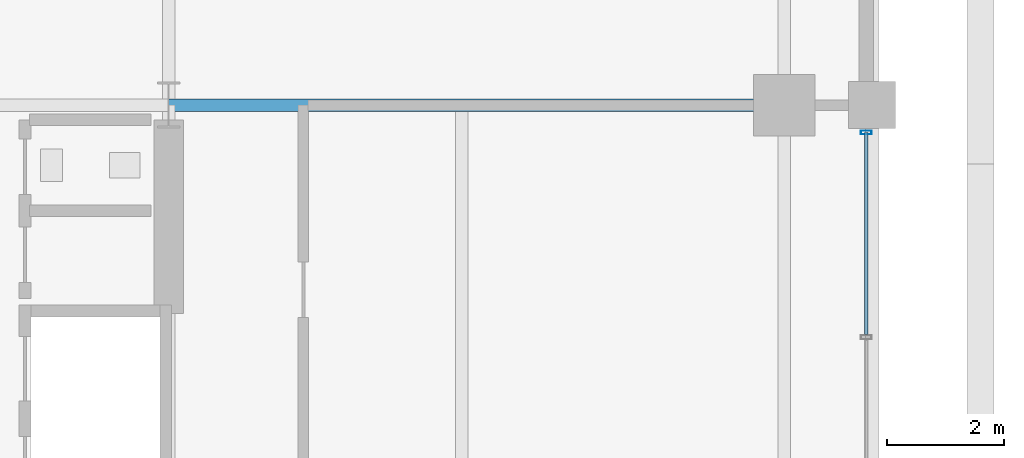
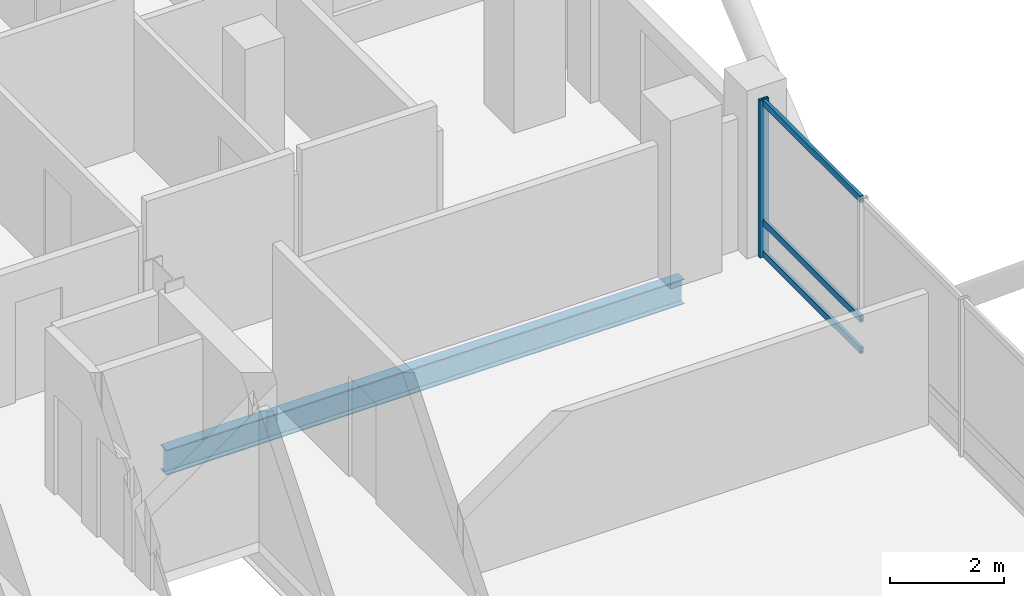
# One storey, part 11 of 24: 4 members, 1 beam, 1 element without a shape of its own.
"""IFC4 building model written with IfcOpenShell, lengths in metres."""

from ifc_helpers import new_model, si_unit, direction, frame, origin, origin_2d, place, context, subcontext, project, spatial, hollow_rectangle, i_section, extrude, material, layer, layer_set, material_profile, profile_set, type_object, element, aggregate, save


model = new_model("IFC4")

# Units and contexts
model_context = context("Model", 3, precision=1e-05, world=origin(), true_north=direction((0.0, 1.0)))
body_context = subcontext(model_context, "Body", "Model", "MODEL_VIEW")
ifc_project = project(units=[si_unit("LENGTHUNIT", "METRE"), si_unit("AREAUNIT", "SQUARE_METRE"), si_unit("VOLUMEUNIT", "CUBIC_METRE"), si_unit("PLANEANGLEUNIT", "RADIAN"), si_unit("MASSUNIT", "GRAM", prefix="KILO")], contexts=[model_context])

# Site, building, storey
site_placement = place(None, origin())
site = spatial("IfcSite", under=ifc_project, at=site_placement, CompositionType="ELEMENT")
building_placement = place(site_placement, origin())
building = spatial("IfcBuilding", under=site, at=building_placement, Name="Barlavira Tower and Art Museum", CompositionType="ELEMENT")
storey_placement = place(building_placement, frame((0.0, 0.0, 194.39990234375)))
storey = spatial("IfcBuildingStorey", under=building, at=storey_placement, Name="L50", CompositionType="ELEMENT", Elevation=194.39990234375)

# Curtain wall, members
ifc_material_1 = material(Name="Low-iron coastal laminated glass", Category="glass")
ifc_layer = layer(ifc_material_1, 0.199951171875, Name="Low-iron coastal laminated glass")
ifc_layer_set = layer_set([ifc_layer], Name="Low-iron coastal laminated glass")
curtain_wall_type = type_object("IfcCurtainWallType", Name="Pale-Metal Unitised Curtain Wall Zone 3", PredefinedType="NOTDEFINED", material=ifc_layer_set)
curtain_wall_placement = place(storey_placement, origin())
curtain_wall = element("IfcCurtainWall", 1, at=curtain_wall_placement, inside=storey, type_object=curtain_wall_type, Name="L50 Curtain Wall CW3-L50-E-B3", PredefinedType="NOTDEFINED")
ifc_material_2 = material(Name="Pale anodised aluminium", Category="aluminium")
ifc_material_profile_1 = material_profile(ifc_material_2, hollow_rectangle(XDim=0.06494140625, YDim=0.179931640625, WallThickness=0.00390625, at=origin_2d()), Name="ALU-MULL 65x180x4")
ifc_profile_set_1 = profile_set([ifc_material_profile_1], Name="Pale anodised aluminium")
member_type_1 = type_object("IfcMemberType", Name="Curtain Wall Pale-Metal Mullion 65x180", PredefinedType="MULLION", material=ifc_profile_set_1)
member_1_placement = place(storey_placement, frame((18.39990234375, 7.034912109375, 0.0), z_axis=(0.0, 0.0, 1.0), x_axis=(0.0, 1.0, 0.0)))
member_1 = element("IfcMember", 2, at=member_1_placement, type_object=member_type_1, Name="CW3-L50-E-B3 Mullion 4", PredefinedType="MULLION", context=body_context, shape_type="SweptSolid", body=[
    extrude(hollow_rectangle(XDim=0.06494140625, YDim=0.179931640625, WallThickness=0.00390625, at=origin_2d()), origin(), (0.0, 0.0, 1.0), 3.380126953125),
])
ifc_material_profile_2 = material_profile(ifc_material_2, hollow_rectangle(XDim=0.06494140625, YDim=0.139892578125, WallThickness=0.00390625, at=origin_2d()), Name="ALU-TRAN 65x140x4")
ifc_profile_set_2 = profile_set([ifc_material_profile_2], Name="Pale anodised aluminium")
member_type_2 = type_object("IfcMemberType", Name="Curtain Wall Pale-Metal Transom 65x140", PredefinedType="USERDEFINED", material=ifc_profile_set_2)
member_2_placement = place(storey_placement, frame((18.39990234375, 3.5849609375, 0.070068359375), z_axis=(0.0, 1.0, 0.0), x_axis=(-1.0, 0.0, 0.0)))
member_2 = element("IfcMember", 3, at=member_2_placement, type_object=member_type_2, Name="CW3-L50-E-B3 Transom 3.1", ObjectType="TRANSOM", PredefinedType="USERDEFINED", context=body_context, shape_type="SweptSolid", body=[
    extrude(hollow_rectangle(XDim=0.06494140625, YDim=0.139892578125, WallThickness=0.00390625, at=origin_2d()), origin(), (0.0, 0.0, 1.0), 3.449951171875),
])
member_3_placement = place(storey_placement, frame((18.39990234375, 3.5849609375, 0.744140625), z_axis=(0.0, 1.0, 0.0), x_axis=(-1.0, 0.0, 0.0)))
member_3 = element("IfcMember", 4, at=member_3_placement, type_object=member_type_2, Name="CW3-L50-E-B3 Transom 3.2", ObjectType="TRANSOM", PredefinedType="USERDEFINED", context=body_context, shape_type="SweptSolid", body=[
    extrude(hollow_rectangle(XDim=0.06494140625, YDim=0.139892578125, WallThickness=0.00390625, at=origin_2d()), origin(), (0.0, 0.0, 1.0), 3.449951171875),
])
member_4_placement = place(storey_placement, frame((18.39990234375, 3.5849609375, 3.31005859375), z_axis=(0.0, 1.0, 0.0), x_axis=(-1.0, 0.0, 0.0)))
member_4 = element("IfcMember", 5, at=member_4_placement, type_object=member_type_2, Name="CW3-L50-E-B3 Transom 3.3", ObjectType="TRANSOM", PredefinedType="USERDEFINED", context=body_context, shape_type="SweptSolid", body=[
    extrude(hollow_rectangle(XDim=0.06494140625, YDim=0.139892578125, WallThickness=0.00390625, at=origin_2d()), origin(), (0.0, 0.0, 1.0), 3.449951171875),
])
aggregate(curtain_wall, [member_1, member_2, member_3, member_4])

# Beam
ifc_material_3 = material(Name="Steel S355", Category="steel")
ifc_material_profile_3 = material_profile(ifc_material_3, i_section(OverallWidth=0.2109375, OverallDepth=0.5390625, WebThickness=0.01171875, FlangeThickness=0.018798828125, at=origin_2d()), Name="W530x109.0")
ifc_profile_set_3 = profile_set([ifc_material_profile_3], Name="Steel S355")
beam_type = type_object("IfcBeamType", Name="Zone 3-4 Primary Floor Girder W530x109 Steel S355", PredefinedType="BEAM", material=ifc_profile_set_3)
beam_placement = place(storey_placement, frame((6.5, 7.5, -0.489501953125), z_axis=(1.0, 0.0, 0.0), x_axis=(0.0, 1.0, 0.0)))
element("IfcBeam", 6, at=beam_placement, inside=storey, type_object=beam_type, Name="L50 Girder R-E2", PredefinedType="BEAM", context=body_context, shape_type="SweptSolid", body=[
    extrude(i_section(OverallWidth=0.2109375, OverallDepth=0.5390625, WebThickness=0.01171875, FlangeThickness=0.018798828125, at=origin_2d()), origin(), (0.0, 0.0, 1.0), 10.5),
])

save(model, "model.ifc")
